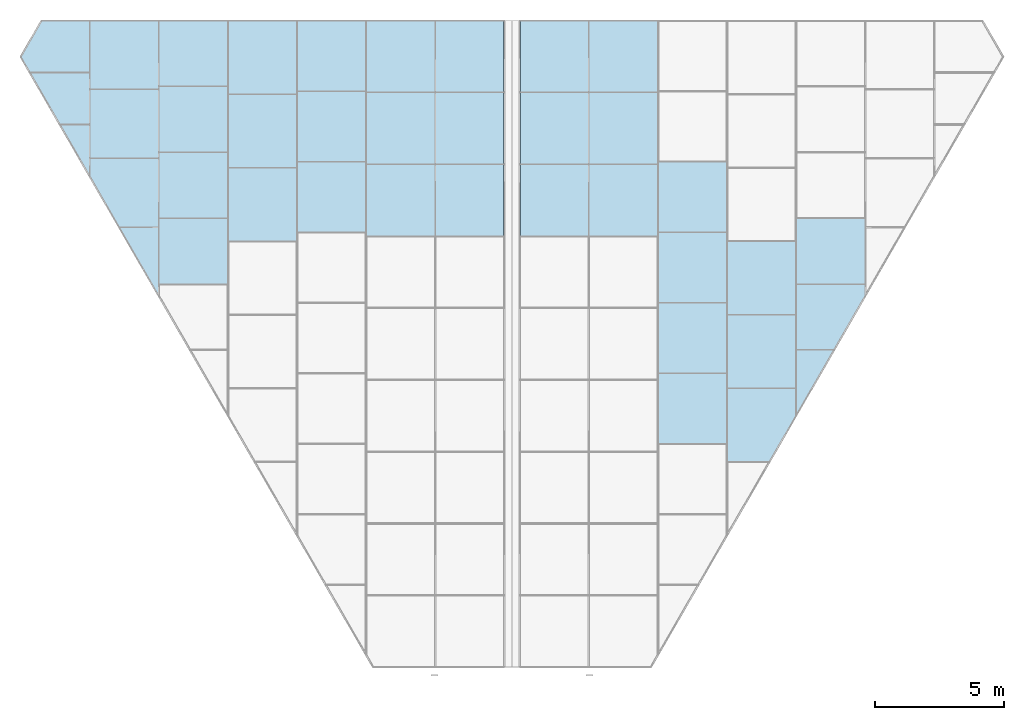
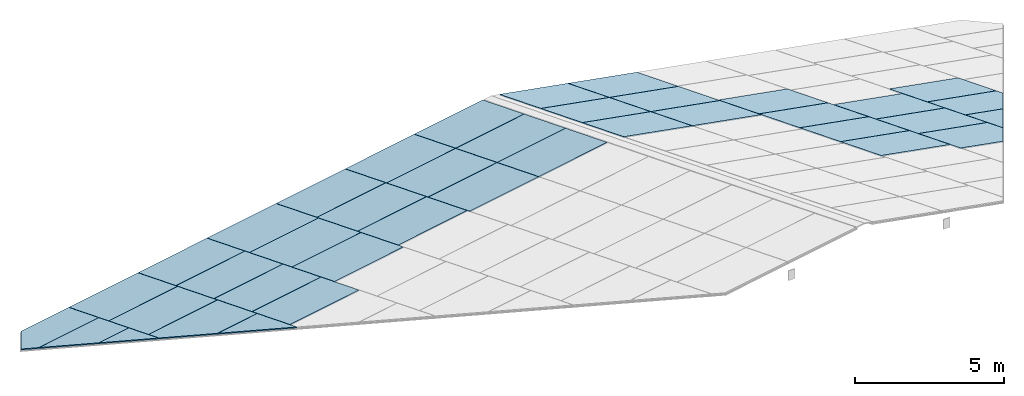
# One storey, part 9 of 12: 39 plates, 39 elements without a shape of their own.
"""IFC4 building model written with IfcOpenShell, lengths in metres."""

from ifc_helpers import new_model, si_unit, direction, frame, origin, place, context, subcontext, project, spatial, polyline, outline, extrude, material, layer, layer_set, type_object, element, aggregate, save


model = new_model("IFC4")

# Units and contexts
model_context = context("Model", 3, precision=1e-05, world=origin(), true_north=direction((0.0, 1.0)))
body_context = subcontext(model_context, "Body", "Model", "MODEL_VIEW")
ifc_project = project(units=[si_unit("LENGTHUNIT", "METRE"), si_unit("AREAUNIT", "SQUARE_METRE"), si_unit("VOLUMEUNIT", "CUBIC_METRE"), si_unit("PLANEANGLEUNIT", "RADIAN"), si_unit("MASSUNIT", "GRAM", prefix="KILO")], contexts=[model_context])

# Site, building, storey
site_placement = place(None, origin())
site = spatial("IfcSite", under=ifc_project, at=site_placement, CompositionType="ELEMENT")
building_placement = place(site_placement, origin())
building = spatial("IfcBuilding", under=site, at=building_placement, Name="Aloe Facet Convention Tower", CompositionType="ELEMENT")
storey_placement = place(building_placement, frame((0.0, 0.0, 306.5)))
storey = spatial("IfcBuildingStorey", under=building, at=storey_placement, Name="C6", CompositionType="ELEMENT", Elevation=306.5)

# Curtain wall, plate
ifc_material_1 = material(Name="Aluminium, anodised", Category="aluminium")
curtain_wall_type = type_object("IfcCurtainWallType", Name="EV-CW-LANTERN", PredefinedType="USERDEFINED", material=ifc_material_1)
curtain_wall_1_placement = place(storey_placement, origin())
curtain_wall_1 = element("IfcCurtainWall", 1, at=curtain_wall_1_placement, inside=storey, type_object=curtain_wall_type, Name="CW-RW07", ObjectType="ROOF LANTERN GLAZING", PredefinedType="USERDEFINED")
ifc_material_2 = material(Name="Clear double glazing", Category="glass")
ifc_layer = layer(ifc_material_2, 0.0400390625)
ifc_layer_set = layer_set([ifc_layer], Name="EV-PANEL-LANTERN")
plate_type = type_object("IfcPlateType", Name="EV-PANEL-LANTERN", PredefinedType="CURTAIN_PANEL", material=ifc_layer_set)
plate_1_placement = place(storey_placement, frame((77.03125, 128.93603515625, -7.081298828125), z_axis=(-0.164936236056, 0.364661514026, 0.916415854415), x_axis=(0.984186809855, 0.0, 0.177133631213)))
plate_1 = element("IfcPlate", 2, at=plate_1_placement, type_object=plate_type, Name="Roof glazing W07", PredefinedType="CURTAIN_PANEL", context=body_context, shape_type="SweptSolid", body=[
    extrude(outline(polyline([(0.0, 0.0), (2.6862774441303654, 0.0), (2.881660682856284, -2.9769660928675075), (0.19538323872591867, -2.9769660928675075), (0.0, 0.0)])), origin(), (0.0, 0.0, -1.0), 0.0400390625),
])
aggregate(curtain_wall_1, [plate_1])

curtain_wall_2_placement = place(storey_placement, origin())
curtain_wall_2 = element("IfcCurtainWall", 3, at=curtain_wall_2_placement, inside=storey, type_object=curtain_wall_type, Name="CW-RW08", ObjectType="ROOF LANTERN GLAZING", PredefinedType="USERDEFINED")
plate_2_placement = place(storey_placement, frame((77.03125, 131.716064453125, -8.1875), z_axis=(-0.164936236056, 0.364661514026, 0.916415854415), x_axis=(0.984186809855, 0.0, 0.177133631213)))
plate_2 = element("IfcPlate", 4, at=plate_2_placement, type_object=plate_type, Name="Roof glazing W08", PredefinedType="CURTAIN_PANEL", context=body_context, shape_type="SweptSolid", body=[
    extrude(outline(polyline([(0.0, 0.0), (2.6862774441303654, 0.0), (2.881660682856284, -2.9769660928675075), (0.19538323872591867, -2.9769660928675075), (0.0, 0.0)])), origin(), (0.0, 0.0, -1.0), 0.0400390625),
])
aggregate(curtain_wall_2, [plate_2])

curtain_wall_3_placement = place(storey_placement, origin())
curtain_wall_3 = element("IfcCurtainWall", 5, at=curtain_wall_3_placement, inside=storey, type_object=curtain_wall_type, Name="CW-RW09", ObjectType="ROOF LANTERN GLAZING", PredefinedType="USERDEFINED")
plate_3_placement = place(storey_placement, frame((77.03125, 134.49609375, -9.293701171875), z_axis=(-0.164936236056, 0.364661514026, 0.916415854415), x_axis=(0.984186809855, 0.0, 0.177133631213)))
plate_3 = element("IfcPlate", 6, at=plate_3_placement, type_object=plate_type, Name="Roof glazing W09", PredefinedType="CURTAIN_PANEL", context=body_context, shape_type="SweptSolid", body=[
    extrude(outline(polyline([(0.0, 0.0), (2.6862774441303654, 0.0), (2.881660682856284, -2.9769660928675075), (0.19538323872591867, -2.9769660928675075), (0.0, 0.0)])), origin(), (0.0, 0.0, -1.0), 0.0400390625),
])
aggregate(curtain_wall_3, [plate_3])

curtain_wall_4_placement = place(storey_placement, origin())
curtain_wall_4 = element("IfcCurtainWall", 7, at=curtain_wall_4_placement, inside=storey, type_object=curtain_wall_type, Name="CW-RW16", ObjectType="ROOF LANTERN GLAZING", PredefinedType="USERDEFINED")
plate_4_placement = place(storey_placement, frame((77.023193359375, 126.1640625, -5.979736328125), z_axis=(-0.164911872129, 0.364663020281, 0.916419639723), x_axis=(-0.984191498599, 0.0, -0.177107577721)))
plate_4 = element("IfcPlate", 8, at=plate_4_placement, type_object=plate_type, Name="Roof glazing W16", PredefinedType="CURTAIN_PANEL", context=body_context, shape_type="SweptSolid", body=[
    extrude(outline(polyline([(0.0, 0.0), (2.707349926354833, 2.7755575615628914e-17), (2.902704427366493, -2.9769679788322128), (0.1953545010116597, -2.9769679788322128), (0.0, 0.0)])), origin(), (0.0, 0.0, -1.0), 0.0400390625),
])
aggregate(curtain_wall_4, [plate_4])

curtain_wall_5_placement = place(storey_placement, origin())
curtain_wall_5 = element("IfcCurtainWall", 9, at=curtain_wall_5_placement, inside=storey, type_object=curtain_wall_type, Name="CW-RW17", ObjectType="ROOF LANTERN GLAZING", PredefinedType="USERDEFINED")
plate_5_placement = place(storey_placement, frame((77.023193359375, 128.944091796875, -7.0859375), z_axis=(-0.164950286005, 0.364695484352, 0.916399807311), x_axis=(-0.984184683845, -1.5068882e-05, -0.17714544267)))
plate_5 = element("IfcPlate", 10, at=plate_5_placement, type_object=plate_type, Name="Roof glazing W17", PredefinedType="CURTAIN_PANEL", context=body_context, shape_type="SweptSolid", body=[
    extrude(outline(polyline([(0.0, 0.0), (2.7073499240437493, 2.7755575615628914e-17), (2.902747668999092, -2.977055606465092), (0.19535449655625303, -2.976967977022811), (0.0, 0.0)])), origin(), (0.0, 0.0, -1.0), 0.0400390625),
])
aggregate(curtain_wall_5, [plate_5])

curtain_wall_6_placement = place(storey_placement, origin())
curtain_wall_6 = element("IfcCurtainWall", 11, at=curtain_wall_6_placement, inside=storey, type_object=curtain_wall_type, Name="CW-RW18", ObjectType="ROOF LANTERN GLAZING", PredefinedType="USERDEFINED")
plate_6_placement = place(storey_placement, frame((77.023193359375, 131.72412109375, -8.192138671875), z_axis=(-0.164993554211, 0.364657969534, 0.916406946899), x_axis=(-0.984175776426, 0.0, -0.177194924013)))
plate_6 = element("IfcPlate", 12, at=plate_6_placement, type_object=plate_type, Name="Roof glazing W18", PredefinedType="CURTAIN_PANEL", context=body_context, shape_type="SweptSolid", body=[
    extrude(outline(polyline([(0.0, 0.0), (2.7073931761720242, 0.0), (2.9028440225320193, -2.9769616548949744), (0.19545084635999496, -2.976961654894974), (0.0, 0.0)])), origin(), (0.0, 0.0, -1.0), 0.0400390625),
])
aggregate(curtain_wall_6, [plate_6])

curtain_wall_7_placement = place(storey_placement, origin())
curtain_wall_7 = element("IfcCurtainWall", 13, at=curtain_wall_7_placement, inside=storey, type_object=curtain_wall_type, Name="CW-RW25", ObjectType="ROOF LANTERN GLAZING", PredefinedType="USERDEFINED")
plate_7_placement = place(storey_placement, frame((74.3505859375, 126.3203125, -6.522705078125), z_axis=(-0.164949471398, 0.36470722453, 0.916395281667), x_axis=(-0.984182592684, 1.5069052e-05, -0.177157060345)))
plate_7 = element("IfcPlate", 14, at=plate_7_placement, type_object=plate_type, Name="Roof glazing W25", PredefinedType="CURTAIN_PANEL", context=body_context, shape_type="SweptSolid", body=[
    extrude(outline(polyline([(0.0, 0.0), (2.7073931738610004, -2.7755575615628914e-17), (2.8991668842496368, -2.9208655271016224), (0.1918169616240718, -2.9209531579649464), (0.0, 0.0)])), origin(), (0.0, 0.0, -1.0), 0.0400390625),
])
aggregate(curtain_wall_7, [plate_7])

curtain_wall_8_placement = place(storey_placement, origin())
curtain_wall_8 = element("IfcCurtainWall", 15, at=curtain_wall_8_placement, inside=storey, type_object=curtain_wall_type, Name="CW-RW26", ObjectType="ROOF LANTERN GLAZING", PredefinedType="USERDEFINED")
plate_8_placement = place(storey_placement, frame((74.3505859375, 129.048095703125, -7.6083984375), z_axis=(-0.164951440661, 0.364678842636, 0.916406222129), x_axis=(-0.984184683749, -1.50683e-05, -0.1771454432)))
plate_8 = element("IfcPlate", 16, at=plate_8_placement, type_object=plate_type, Name="Roof glazing W26", PredefinedType="CURTAIN_PANEL", context=body_context, shape_type="SweptSolid", body=[
    extrude(outline(polyline([(0.0, 0.0), (2.707349924043717, -2.7755575615628914e-17), (2.8990723408450396, -2.9211866875942536), (0.19167916840210347, -2.9210990621506627), (0.0, 0.0)])), origin(), (0.0, 0.0, -1.0), 0.0400390625),
])
aggregate(curtain_wall_8, [plate_8])

curtain_wall_9_placement = place(storey_placement, origin())
curtain_wall_9 = element("IfcCurtainWall", 17, at=curtain_wall_9_placement, inside=storey, type_object=curtain_wall_type, Name="CW-RW27", ObjectType="ROOF LANTERN GLAZING", PredefinedType="USERDEFINED")
plate_9_placement = place(storey_placement, frame((74.3505859375, 131.776123046875, -8.69384765625), z_axis=(-0.164951440661, 0.364678842636, 0.916406222129), x_axis=(-0.984182592847, 1.5068059e-05, -0.177157059441)))
plate_9 = element("IfcPlate", 18, at=plate_9_placement, type_object=plate_type, Name="Roof glazing W27", PredefinedType="CURTAIN_PANEL", context=body_context, shape_type="SweptSolid", body=[
    extrude(outline(polyline([(0.0, 0.0), (2.707393173860946, -2.7755575615628914e-17), (2.899166884249696, -2.921092856877463), (0.1918169616239653, -2.9211804809212625), (0.0, 0.0)])), origin(), (0.0, 0.0, -1.0), 0.0400390625),
])
aggregate(curtain_wall_9, [plate_9])

curtain_wall_10_placement = place(storey_placement, origin())
curtain_wall_10 = element("IfcCurtainWall", 19, at=curtain_wall_10_placement, inside=storey, type_object=curtain_wall_type, Name="CW-RW32", ObjectType="ROOF LANTERN GLAZING", PredefinedType="USERDEFINED")
plate_10_placement = place(storey_placement, frame((71.677978515625, 125.9658203125, -6.86279296875), z_axis=(-0.164978075021, 0.364670039525, 0.916404930713), x_axis=(-0.984178607384, 0.0, -0.177179199589)))
plate_10 = element("IfcPlate", 20, at=plate_10_placement, type_object=plate_type, Name="Roof glazing W32", PredefinedType="CURTAIN_PANEL", context=body_context, shape_type="SweptSolid", body=[
    extrude(outline(polyline([(0.0, 0.0), (2.7076334538067823, 0.0), (2.907738672873482, -3.048031964459847), (0.20010521906669956, -3.048031964459847), (0.0, 0.0)])), origin(), (0.0, 0.0, -1.0), 0.0400390625),
])
aggregate(curtain_wall_10, [plate_10])

curtain_wall_11_placement = place(storey_placement, origin())
curtain_wall_11 = element("IfcCurtainWall", 21, at=curtain_wall_11_placement, inside=storey, type_object=curtain_wall_type, Name="CW-RW33", ObjectType="ROOF LANTERN GLAZING", PredefinedType="USERDEFINED")
plate_11_placement = place(storey_placement, frame((71.677978515625, 128.81201171875, -7.995361328125), z_axis=(-0.164976187542, 0.364697239219, 0.916394446322), x_axis=(-0.984178607384, 0.0, -0.177179199589)))
plate_11 = element("IfcPlate", 22, at=plate_11_placement, type_object=plate_type, Name="Roof glazing W33", PredefinedType="CURTAIN_PANEL", context=body_context, shape_type="SweptSolid", body=[
    extrude(outline(polyline([(0.0, 0.0), (2.7076334538067823, 0.0), (2.907738672873482, -3.047804637437013), (0.20010521906669956, -3.047804637437013), (0.0, 0.0)])), origin(), (0.0, 0.0, -1.0), 0.0400390625),
])
aggregate(curtain_wall_11, [plate_11])

curtain_wall_12_placement = place(storey_placement, origin())
curtain_wall_12 = element("IfcCurtainWall", 23, at=curtain_wall_12_placement, inside=storey, type_object=curtain_wall_type, Name="CW-RW34", ObjectType="ROOF LANTERN GLAZING", PredefinedType="USERDEFINED")
plate_12_placement = place(storey_placement, frame((71.677978515625, 131.657958984375, -9.1279296875), z_axis=(-0.164978075021, 0.364670039525, 0.916404930713), x_axis=(-0.984178607384, 0.0, -0.177179199589)))
plate_12 = element("IfcPlate", 24, at=plate_12_placement, type_object=plate_type, Name="Roof glazing W34", PredefinedType="CURTAIN_PANEL", context=body_context, shape_type="SweptSolid", body=[
    extrude(outline(polyline([(0.0, 0.0), (2.7076334538067823, 0.0), (2.907738672873482, -3.048031964459847), (0.20010521906669956, -3.048031964459847), (0.0, 0.0)])), origin(), (0.0, 0.0, -1.0), 0.0400390625),
])
aggregate(curtain_wall_12, [plate_12])

curtain_wall_13_placement = place(storey_placement, origin())
curtain_wall_13 = element("IfcCurtainWall", 25, at=curtain_wall_13_placement, inside=storey, type_object=curtain_wall_type, Name="CW-RW37", ObjectType="ROOF LANTERN GLAZING", PredefinedType="USERDEFINED")
plate_13_placement = place(storey_placement, frame((69.00537109375, 124.30859375, -6.6845703125), z_axis=(-0.164938363482, 0.364656341266, 0.916417529856), x_axis=(-0.984187513023, -1.5066219e-05, -0.177129723599)))
plate_13 = element("IfcPlate", 26, at=plate_13_placement, type_object=plate_type, Name="Roof glazing W37", PredefinedType="CURTAIN_PANEL", context=body_context, shape_type="SweptSolid", body=[
    extrude(outline(polyline([(0.0, 0.0), (2.707590205516709, -2.7755575615628914e-17), (2.88667089544311, -2.728970055058073), (0.17903744536497515, -2.728882434769348), (0.0, 0.0)])), origin(), (0.0, 0.0, -1.0), 0.0400390625),
])
aggregate(curtain_wall_13, [plate_13])

curtain_wall_14_placement = place(storey_placement, origin())
curtain_wall_14 = element("IfcCurtainWall", 27, at=curtain_wall_14_placement, inside=storey, type_object=curtain_wall_type, Name="CW-RW38", ObjectType="ROOF LANTERN GLAZING", PredefinedType="USERDEFINED")
plate_14_placement = place(storey_placement, frame((69.00537109375, 126.857421875, -7.69873046875), z_axis=(-0.164938363482, 0.364656341266, 0.916417529856), x_axis=(-0.984185422744, 1.5065979e-05, -0.177141337443)))
plate_14 = element("IfcPlate", 28, at=plate_14_placement, type_object=plate_type, Name="Roof glazing W38", PredefinedType="CURTAIN_PANEL", context=body_context, shape_type="SweptSolid", body=[
    extrude(outline(polyline([(0.0, 0.0), (2.7076334514958513, 0.0), (2.8867592046828747, -2.7288766396047817), (0.1791690005838597, -2.728964258494046), (0.0, 0.0)])), origin(), (0.0, 0.0, -1.0), 0.0400390625),
])
aggregate(curtain_wall_14, [plate_14])

curtain_wall_15_placement = place(storey_placement, origin())
curtain_wall_15 = element("IfcCurtainWall", 29, at=curtain_wall_15_placement, inside=storey, type_object=curtain_wall_type, Name="CW-RW39", ObjectType="ROOF LANTERN GLAZING", PredefinedType="USERDEFINED")
plate_15_placement = place(storey_placement, frame((69.00537109375, 129.40625, -8.713134765625), z_axis=(-0.164938363482, 0.364656341266, 0.916417529856), x_axis=(-0.984187513023, -1.5066219e-05, -0.177129723599)))
plate_15 = element("IfcPlate", 30, at=plate_15_placement, type_object=plate_type, Name="Roof glazing W39", PredefinedType="CURTAIN_PANEL", context=body_context, shape_type="SweptSolid", body=[
    extrude(outline(polyline([(0.0, 0.0), (2.707590205516709, -2.7755575615628914e-17), (2.88667089544311, -2.728970055058073), (0.17903744536497515, -2.728882434769348), (0.0, 0.0)])), origin(), (0.0, 0.0, -1.0), 0.0400390625),
])
aggregate(curtain_wall_15, [plate_15])

curtain_wall_16_placement = place(storey_placement, origin())
curtain_wall_16 = element("IfcCurtainWall", 31, at=curtain_wall_16_placement, inside=storey, type_object=curtain_wall_type, Name="CW-RW40", ObjectType="ROOF LANTERN GLAZING", PredefinedType="USERDEFINED")
plate_16_placement = place(storey_placement, frame((69.00537109375, 131.955078125, -9.727294921875), z_axis=(-0.164938363482, 0.364656341266, 0.916417529856), x_axis=(-0.984185422744, 1.5065979e-05, -0.177141337443)))
plate_16 = element("IfcPlate", 32, at=plate_16_placement, type_object=plate_type, Name="Roof glazing W40", PredefinedType="CURTAIN_PANEL", context=body_context, shape_type="SweptSolid", body=[
    extrude(outline(polyline([(0.0, 0.0), (2.7076334514958513, 0.0), (2.8867592046828747, -2.7288766396047817), (0.1791690005838597, -2.728964258494046), (0.0, 0.0)])), origin(), (0.0, 0.0, -1.0), 0.0400390625),
])
aggregate(curtain_wall_16, [plate_16])

curtain_wall_17_placement = place(storey_placement, origin())
curtain_wall_17 = element("IfcCurtainWall", 33, at=curtain_wall_17_placement, inside=storey, type_object=curtain_wall_type, Name="CW-RW41", ObjectType="ROOF LANTERN GLAZING", PredefinedType="USERDEFINED")
plate_17_placement = place(storey_placement, frame((66.33251953125, 126.498291015625, -8.036865234375), z_axis=(-0.164984172336, 0.364639269171, 0.91641607704), x_axis=(0.0, -0.929148934671, 0.369705635876)))
plate_17 = element("IfcPlate", 34, at=plate_17_placement, type_object=plate_type, Name="Roof glazing W41", PredefinedType="CURTAIN_PANEL", context=body_context, shape_type="SweptSolid", body=[
    extrude(outline(polyline([(0.0, 0.0), (2.8488141755076772, 0.0), (-0.10172320596503776, -1.5495550828648248), (0.0, 0.0)])), origin(), (0.0, 0.0, -1.0), 0.0400390625),
])
aggregate(curtain_wall_17, [plate_17])

curtain_wall_18_placement = place(storey_placement, origin())
curtain_wall_18 = element("IfcCurtainWall", 35, at=curtain_wall_18_placement, inside=storey, type_object=curtain_wall_type, Name="CW-RW42", ObjectType="ROOF LANTERN GLAZING", PredefinedType="USERDEFINED")
plate_18_placement = place(storey_placement, frame((66.33251953125, 126.506103515625, -8.0400390625), z_axis=(-0.164921642184, 0.364710067291, 0.916399159076), x_axis=(-0.984188372733, 8.746573e-06, -0.177124947143)))
plate_18 = element("IfcPlate", 36, at=plate_18_placement, type_object=plate_type, Name="Roof glazing W42", PredefinedType="CURTAIN_PANEL", context=body_context, shape_type="SweptSolid", body=[
    extrude(outline(polyline([(0.0, 0.0), (1.557345164621626, 0.0), (2.845572964416223, -2.105449106286419), (2.8947468056908305, -2.854553133402525), (0.18739687986118356, -2.854592608424638), (0.0, 0.0)])), origin(), (0.0, 0.0, -1.0), 0.0400390625),
])
aggregate(curtain_wall_18, [plate_18])

curtain_wall_19_placement = place(storey_placement, origin())
curtain_wall_19 = element("IfcCurtainWall", 37, at=curtain_wall_19_placement, inside=storey, type_object=curtain_wall_type, Name="CW-RW43", ObjectType="ROOF LANTERN GLAZING", PredefinedType="USERDEFINED")
plate_19_placement = place(storey_placement, frame((66.33251953125, 129.172119140625, -9.10107421875), z_axis=(-0.164951046163, 0.364684528515, 0.916404030454), x_axis=(-0.984184683782, -1.5068499e-05, -0.177145443019)))
plate_19 = element("IfcPlate", 38, at=plate_19_placement, type_object=plate_type, Name="Roof glazing W43", PredefinedType="CURTAIN_PANEL", context=body_context, shape_type="SweptSolid", body=[
    extrude(outline(polyline([(0.0, 0.0), (2.707349924043728, 5.551115123125783e-17), (2.894705186214877, -2.854595338289652), (0.18731201377197415, -2.854507711479852), (0.0, 0.0)])), origin(), (0.0, 0.0, -1.0), 0.0400390625),
])
aggregate(curtain_wall_19, [plate_19])

curtain_wall_20_placement = place(storey_placement, origin())
curtain_wall_20 = element("IfcCurtainWall", 39, at=curtain_wall_20_placement, inside=storey, type_object=curtain_wall_type, Name="CW-RW44", ObjectType="ROOF LANTERN GLAZING", PredefinedType="USERDEFINED")
plate_20_placement = place(storey_placement, frame((66.33251953125, 131.838134765625, -10.161865234375), z_axis=(-0.164994418646, 0.364645512351, 0.916411748145), x_axis=(-0.984175776426, 0.0, -0.177194924013)))
plate_20 = element("IfcPlate", 40, at=plate_20_placement, type_object=plate_type, Name="Roof glazing W44", PredefinedType="CURTAIN_PANEL", context=body_context, shape_type="SweptSolid", body=[
    extrude(outline(polyline([(0.0, 0.0), (2.7073931761720242, 0.0), (2.894797573345884, -2.8545016499969122), (0.1874043971738597, -2.8545016499969122), (0.0, 0.0)])), origin(), (0.0, 0.0, -1.0), 0.0400390625),
])
aggregate(curtain_wall_20, [plate_20])

curtain_wall_21_placement = place(storey_placement, origin())
curtain_wall_21 = element("IfcCurtainWall", 41, at=curtain_wall_21_placement, inside=storey, type_object=curtain_wall_type, Name="CW-RW45", ObjectType="ROOF LANTERN GLAZING", PredefinedType="USERDEFINED")
plate_21_placement = place(storey_placement, frame((63.659912109375, 130.472900390625, -10.099609375), z_axis=(-0.165116216262, 0.3646080309, 0.916404724415), x_axis=(0.0, -0.929158241126, 0.369682245918)))
plate_21 = element("IfcPlate", 42, at=plate_21_placement, type_object=plate_type, Name="Roof glazing W45", PredefinedType="CURTAIN_PANEL", context=body_context, shape_type="SweptSolid", body=[
    extrude(outline(polyline([(0.0, 0.0), (2.1443404927558443, 1.3877787807814457e-17), (-0.07662603192979128, -1.1664005010618488), (0.0, 0.0)])), origin(), (0.0, 0.0, -1.0), 0.0400390625),
])
aggregate(curtain_wall_21, [plate_21])

curtain_wall_22_placement = place(storey_placement, origin())
curtain_wall_22 = element("IfcCurtainWall", 43, at=curtain_wall_22_placement, inside=storey, type_object=curtain_wall_type, Name="CW-RW46", ObjectType="ROOF LANTERN GLAZING", PredefinedType="USERDEFINED")
plate_22_placement = place(storey_placement, frame((61.34814453125, 132.484619140625, -11.31640625), z_axis=(-0.164955430205, 0.364644784106, 0.916419056693), x_axis=(0.984181926218, -2.0144633e-05, 0.177160762305)))
plate_22 = element("IfcPlate", 44, at=plate_22_placement, type_object=plate_type, Name="Roof glazing W46", PredefinedType="CURTAIN_PANEL", context=body_context, shape_type="SweptSolid", body=[
    extrude(outline(polyline([(0.0, 0.0), (2.34894476540186, -5.551115123125783e-17), (2.490203363040408, -2.1517682878622626), (1.3166368343153616, -2.1518444946478077), (0.0, 0.0)])), origin(), (0.0, 0.0, -1.0), 0.0400390625),
])
aggregate(curtain_wall_22, [plate_22])

curtain_wall_23_placement = place(storey_placement, origin())
curtain_wall_23 = element("IfcCurtainWall", 45, at=curtain_wall_23_placement, inside=storey, type_object=curtain_wall_type, Name="CW-RW47", ObjectType="ROOF LANTERN GLAZING", PredefinedType="USERDEFINED")
plate_23_placement = place(storey_placement, frame((63.659912109375, 132.492431640625, -10.9033203125), z_axis=(-0.164970000145, 0.364696256734, 0.9163959512), x_axis=(-0.984179898417, -1.175619e-06, -0.177172028126)))
plate_23 = element("IfcPlate", 46, at=plate_23_placement, type_object=plate_type, Name="Roof glazing W47", PredefinedType="CURTAIN_PANEL", context=body_context, shape_type="SweptSolid", body=[
    extrude(outline(polyline([(0.0, 0.0), (2.3536398193898607, -2.7755575615628914e-17), (2.74934495755244, -0.6468339701744356), (2.026075292530309, -2.151878438936072), (0.14126811414904267, -2.1518581203217115), (0.0, 0.0)])), origin(), (0.0, 0.0, -1.0), 0.0400390625),
])
aggregate(curtain_wall_23, [plate_23])

curtain_wall_24_placement = place(storey_placement, origin())
curtain_wall_24 = element("IfcCurtainWall", 47, at=curtain_wall_24_placement, inside=storey, type_object=curtain_wall_type, Name="CW-RE07", ObjectType="ROOF LANTERN GLAZING", PredefinedType="USERDEFINED")
plate_24_placement = place(storey_placement, frame((80.324951171875, 128.93603515625, -6.60546875), z_axis=(0.164936236056, 0.364661514026, 0.916415854415), x_axis=(0.984186809855, 0.0, -0.177133631213)))
plate_24 = element("IfcPlate", 48, at=plate_24_placement, type_object=plate_type, Name="Roof glazing E07", PredefinedType="CURTAIN_PANEL", context=body_context, shape_type="SweptSolid", body=[
    extrude(outline(polyline([(0.0, 0.0), (2.6862774441303654, 0.0), (2.4908942054044467, -2.9769660928675075), (-0.19538323872591867, -2.9769660928675075), (0.0, 0.0)])), origin(), (0.0, 0.0, -1.0), 0.0400390625),
])
aggregate(curtain_wall_24, [plate_24])

curtain_wall_25_placement = place(storey_placement, origin())
curtain_wall_25 = element("IfcCurtainWall", 49, at=curtain_wall_25_placement, inside=storey, type_object=curtain_wall_type, Name="CW-RE08", ObjectType="ROOF LANTERN GLAZING", PredefinedType="USERDEFINED")
plate_25_placement = place(storey_placement, frame((80.324951171875, 131.716064453125, -7.711669921875), z_axis=(0.164936236056, 0.364661514026, 0.916415854415), x_axis=(0.984186809855, 0.0, -0.177133631213)))
plate_25 = element("IfcPlate", 50, at=plate_25_placement, type_object=plate_type, Name="Roof glazing E08", PredefinedType="CURTAIN_PANEL", context=body_context, shape_type="SweptSolid", body=[
    extrude(outline(polyline([(0.0, 0.0), (2.6862774441303654, 0.0), (2.4908942054044467, -2.9769660928675075), (-0.19538323872591867, -2.9769660928675075), (0.0, 0.0)])), origin(), (0.0, 0.0, -1.0), 0.0400390625),
])
aggregate(curtain_wall_25, [plate_25])

curtain_wall_26_placement = place(storey_placement, origin())
curtain_wall_26 = element("IfcCurtainWall", 51, at=curtain_wall_26_placement, inside=storey, type_object=curtain_wall_type, Name="CW-RE09", ObjectType="ROOF LANTERN GLAZING", PredefinedType="USERDEFINED")
plate_26_placement = place(storey_placement, frame((80.324951171875, 131.72412109375, -7.71484375), z_axis=(0.164936236056, 0.364661514026, 0.916415854415), x_axis=(0.0, 0.929141156141, -0.36972518438)))
plate_26 = element("IfcPlate", 52, at=plate_26_placement, type_object=plate_type, Name="Roof glazing E09", PredefinedType="CURTAIN_PANEL", context=body_context, shape_type="SweptSolid", body=[
    extrude(outline(polyline([(0.0, 0.0), (2.983370866663724, 0.0), (3.1592972300318536, -2.6805104777850866), (0.17592636336812947, -2.680510477785086), (0.0, 0.0)])), origin(), (0.0, 0.0, -1.0), 0.0400390625),
])
aggregate(curtain_wall_26, [plate_26])

curtain_wall_27_placement = place(storey_placement, origin())
curtain_wall_27 = element("IfcCurtainWall", 53, at=curtain_wall_27_placement, inside=storey, type_object=curtain_wall_type, Name="CW-RE16", ObjectType="ROOF LANTERN GLAZING", PredefinedType="USERDEFINED")
plate_27_placement = place(storey_placement, frame((82.976806640625, 128.93603515625, -7.082763671875), z_axis=(0.164911872129, 0.364663020281, 0.916419639723), x_axis=(0.984191498599, 0.0, -0.177107577721)))
plate_27 = element("IfcPlate", 54, at=plate_27_placement, type_object=plate_type, Name="Roof glazing E16", PredefinedType="CURTAIN_PANEL", context=body_context, shape_type="SweptSolid", body=[
    extrude(outline(polyline([(0.0, 0.0), (2.707349926354833, -2.7755575615628914e-17), (2.5119954253431738, -2.9769679788322128), (-0.1953545010116597, -2.9769679788322128), (0.0, 0.0)])), origin(), (0.0, 0.0, -1.0), 0.0400390625),
])
aggregate(curtain_wall_27, [plate_27])

curtain_wall_28_placement = place(storey_placement, origin())
curtain_wall_28 = element("IfcCurtainWall", 55, at=curtain_wall_28_placement, inside=storey, type_object=curtain_wall_type, Name="CW-RE17", ObjectType="ROOF LANTERN GLAZING", PredefinedType="USERDEFINED")
plate_28_placement = place(storey_placement, frame((82.976806640625, 131.716064453125, -8.18896484375), z_axis=(0.164950286005, 0.364695484352, 0.916399807311), x_axis=(0.984182592752, 1.5068642e-05, -0.177157059971)))
plate_28 = element("IfcPlate", 56, at=plate_28_placement, type_object=plate_type, Name="Roof glazing E17", PredefinedType="CURTAIN_PANEL", context=body_context, shape_type="SweptSolid", body=[
    extrude(outline(polyline([(0.0, 0.0), (2.7073931738609778, 2.7755575615628914e-17), (2.5118990714767064, -2.977049280521208), (-0.19545085114892685, -2.976961652478782), (0.0, 0.0)])), origin(), (0.0, 0.0, -1.0), 0.0400390625),
])
aggregate(curtain_wall_28, [plate_28])

curtain_wall_29_placement = place(storey_placement, origin())
curtain_wall_29 = element("IfcCurtainWall", 57, at=curtain_wall_29_placement, inside=storey, type_object=curtain_wall_type, Name="CW-RE18", ObjectType="ROOF LANTERN GLAZING", PredefinedType="USERDEFINED")
plate_29_placement = place(storey_placement, frame((82.976806640625, 134.49609375, -9.295166015625), z_axis=(0.164993554211, 0.364657969534, 0.916406946899), x_axis=(0.984175776426, 0.0, -0.177194924013)))
plate_29 = element("IfcPlate", 58, at=plate_29_placement, type_object=plate_type, Name="Roof glazing E18", PredefinedType="CURTAIN_PANEL", context=body_context, shape_type="SweptSolid", body=[
    extrude(outline(polyline([(0.0, 0.0), (2.7073931761720242, 0.0), (2.511942329812029, -2.976961654894974), (-0.19545084635999496, -2.976961654894974), (0.0, 0.0)])), origin(), (0.0, 0.0, -1.0), 0.0400390625),
])
aggregate(curtain_wall_29, [plate_29])

curtain_wall_30_placement = place(storey_placement, origin())
curtain_wall_30 = element("IfcCurtainWall", 59, at=curtain_wall_30_placement, inside=storey, type_object=curtain_wall_type, Name="CW-RE22", ObjectType="ROOF LANTERN GLAZING", PredefinedType="USERDEFINED")
plate_30_placement = place(storey_placement, frame((85.6494140625, 120.8564453125, -4.348388671875), z_axis=(0.164994755479, 0.364640658195, 0.916413618982), x_axis=(0.984175776426, 0.0, -0.177194924013)))
plate_30 = element("IfcPlate", 60, at=plate_30_placement, type_object=plate_type, Name="Roof glazing E22", PredefinedType="CURTAIN_PANEL", context=body_context, shape_type="SweptSolid", body=[
    extrude(outline(polyline([(0.0, 0.0), (2.7073931761720242, 2.7755575615628914e-17), (2.515619470569134, -2.921092859333667), (-0.19177370560289014, -2.921092859333667), (0.0, 0.0)])), origin(), (0.0, 0.0, -1.0), 0.0400390625),
])
aggregate(curtain_wall_30, [plate_30])

curtain_wall_31_placement = place(storey_placement, origin())
curtain_wall_31 = element("IfcCurtainWall", 61, at=curtain_wall_31_placement, inside=storey, type_object=curtain_wall_type, Name="CW-RE23", ObjectType="ROOF LANTERN GLAZING", PredefinedType="USERDEFINED")
plate_31_placement = place(storey_placement, frame((85.6494140625, 123.584228515625, -5.43408203125), z_axis=(0.164951440661, 0.364678842636, 0.916406222129), x_axis=(0.984184683749, -1.50683e-05, -0.1771454432)))
plate_31 = element("IfcPlate", 62, at=plate_31_placement, type_object=plate_type, Name="Roof glazing E23", PredefinedType="CURTAIN_PANEL", context=body_context, shape_type="SweptSolid", body=[
    extrude(outline(polyline([(0.0, 0.0), (2.707349924043717, 2.7755575615628914e-17), (2.5156707556416134, -2.9210990621506627), (-0.19172241680132227, -2.9211866875942536), (0.0, 0.0)])), origin(), (0.0, 0.0, -1.0), 0.0400390625),
])
aggregate(curtain_wall_31, [plate_31])

curtain_wall_32_placement = place(storey_placement, origin())
curtain_wall_32 = element("IfcCurtainWall", 63, at=curtain_wall_32_placement, inside=storey, type_object=curtain_wall_type, Name="CW-RE24", ObjectType="ROOF LANTERN GLAZING", PredefinedType="USERDEFINED")
plate_32_placement = place(storey_placement, frame((85.6494140625, 126.312255859375, -6.51953125), z_axis=(0.164994755479, 0.364640658195, 0.916413618982), x_axis=(0.984175776426, 0.0, -0.177194924013)))
plate_32 = element("IfcPlate", 64, at=plate_32_placement, type_object=plate_type, Name="Roof glazing E24", PredefinedType="CURTAIN_PANEL", context=body_context, shape_type="SweptSolid", body=[
    extrude(outline(polyline([(0.0, 0.0), (2.7073931761720242, 2.7755575615628914e-17), (2.515619470569134, -2.921092859333667), (-0.19177370560289014, -2.921092859333667), (0.0, 0.0)])), origin(), (0.0, 0.0, -1.0), 0.0400390625),
])
aggregate(curtain_wall_32, [plate_32])

curtain_wall_33_placement = place(storey_placement, origin())
curtain_wall_33 = element("IfcCurtainWall", 65, at=curtain_wall_33_placement, inside=storey, type_object=curtain_wall_type, Name="CW-RE25", ObjectType="ROOF LANTERN GLAZING", PredefinedType="USERDEFINED")
plate_33_placement = place(storey_placement, frame((85.6494140625, 129.0400390625, -7.605224609375), z_axis=(0.164949471398, 0.36470722453, 0.916395281667), x_axis=(0.984184683912, -1.5069293e-05, -0.177145442296)))
plate_33 = element("IfcPlate", 66, at=plate_33_placement, type_object=plate_type, Name="Roof glazing E25", PredefinedType="CURTAIN_PANEL", context=body_context, shape_type="SweptSolid", body=[
    extrude(outline(polyline([(0.0, 0.0), (2.7073499240437724, -2.7755575615628914e-17), (2.5156707556415623, -2.9208717328577607), (-0.19172241680120805, -2.920959365120985), (0.0, 0.0)])), origin(), (0.0, 0.0, -1.0), 0.0400390625),
])
aggregate(curtain_wall_33, [plate_33])

curtain_wall_34_placement = place(storey_placement, origin())
curtain_wall_34 = element("IfcCurtainWall", 67, at=curtain_wall_34_placement, inside=storey, type_object=curtain_wall_type, Name="CW-RE29", ObjectType="ROOF LANTERN GLAZING", PredefinedType="USERDEFINED")
plate_34_placement = place(storey_placement, frame((88.322021484375, 117.427734375, -3.465087890625), z_axis=(0.164987477102, 0.364668921655, 0.91640368287), x_axis=(9.5244e-08, 0.929136883182, -0.369735922397)))
plate_34 = element("IfcPlate", 68, at=plate_34_placement, type_object=plate_type, Name="Roof glazing E29", PredefinedType="CURTAIN_PANEL", context=body_context, shape_type="SweptSolid", body=[
    extrude(outline(polyline([(0.0, 0.0), (3.0545934189452404, 0.0), (3.231969426537981, -2.7018172905372446), (2.0934501772605896, -2.701826813582399), (0.10895309984011738, -1.659702290549927), (0.0, 0.0)])), origin(), (0.0, 0.0, -1.0), 0.0400390625),
])
aggregate(curtain_wall_34, [plate_34])

curtain_wall_35_placement = place(storey_placement, origin())
curtain_wall_35 = element("IfcCurtainWall", 69, at=curtain_wall_35_placement, inside=storey, type_object=curtain_wall_type, Name="CW-RE30", ObjectType="ROOF LANTERN GLAZING", PredefinedType="USERDEFINED")
plate_35_placement = place(storey_placement, frame((88.322021484375, 123.11181640625, -5.72705078125), z_axis=(0.164976187542, 0.364697239219, 0.916394446322), x_axis=(0.984178607384, 0.0, -0.177179199589)))
plate_35 = element("IfcPlate", 70, at=plate_35_placement, type_object=plate_type, Name="Roof glazing E30", PredefinedType="CURTAIN_PANEL", context=body_context, shape_type="SweptSolid", body=[
    extrude(outline(polyline([(0.0, 0.0), (2.7076334538067823, 0.0), (2.507528234740083, -3.047804637437013), (-0.20010521906669956, -3.047804637437013), (0.0, 0.0)])), origin(), (0.0, 0.0, -1.0), 0.0400390625),
])
aggregate(curtain_wall_35, [plate_35])

curtain_wall_36_placement = place(storey_placement, origin())
curtain_wall_36 = element("IfcCurtainWall", 71, at=curtain_wall_36_placement, inside=storey, type_object=curtain_wall_type, Name="CW-RE31", ObjectType="ROOF LANTERN GLAZING", PredefinedType="USERDEFINED")
plate_36_placement = place(storey_placement, frame((88.322021484375, 125.9580078125, -6.859619140625), z_axis=(0.164978075021, 0.364670039525, 0.916404930713), x_axis=(0.984178607384, 0.0, -0.177179199589)))
plate_36 = element("IfcPlate", 72, at=plate_36_placement, type_object=plate_type, Name="Roof glazing E31", PredefinedType="CURTAIN_PANEL", context=body_context, shape_type="SweptSolid", body=[
    extrude(outline(polyline([(0.0, 0.0), (2.7076334538067823, 0.0), (2.507528234740083, -3.048031964459847), (-0.20010521906669956, -3.048031964459847), (0.0, 0.0)])), origin(), (0.0, 0.0, -1.0), 0.0400390625),
])
aggregate(curtain_wall_36, [plate_36])

curtain_wall_37_placement = place(storey_placement, origin())
curtain_wall_37 = element("IfcCurtainWall", 73, at=curtain_wall_37_placement, inside=storey, type_object=curtain_wall_type, Name="CW-RE35", ObjectType="ROOF LANTERN GLAZING", PredefinedType="USERDEFINED")
plate_37_placement = place(storey_placement, frame((92.455322265625, 121.751953125, -5.929931640625), z_axis=(0.164961477837, 0.36468592043, 0.916401598793), x_axis=(-0.458553658919, -0.794248966635, 0.398619017222)))
plate_37 = element("IfcPlate", 74, at=plate_37_placement, type_object=plate_type, Name="Roof glazing E35", PredefinedType="CURTAIN_PANEL", context=body_context, shape_type="SweptSolid", body=[
    extrude(outline(polyline([(0.0, 0.0), (3.1854360574032716, 1.3877787807814457e-17), (0.774618950893718, -1.2659888336980751), (0.0, 0.0)])), origin(), (0.0, 0.0, -1.0), 0.0400390625),
])
aggregate(curtain_wall_37, [plate_37])

curtain_wall_38_placement = place(storey_placement, origin())
curtain_wall_38 = element("IfcCurtainWall", 75, at=curtain_wall_38_placement, inside=storey, type_object=curtain_wall_type, Name="CW-RE36", ObjectType="ROOF LANTERN GLAZING", PredefinedType="USERDEFINED")
plate_38_placement = place(storey_placement, frame((90.99462890625, 121.759765625, -5.670166015625), z_axis=(0.164913180833, 0.364687741886, 0.916409566572), x_axis=(1.44874e-06, 0.929131059723, -0.369750556261)))
plate_38 = element("IfcPlate", 76, at=plate_38_placement, type_object=plate_type, Name="Roof glazing E36", PredefinedType="CURTAIN_PANEL", context=body_context, shape_type="SweptSolid", body=[
    extrude(outline(polyline([(0.0, 0.0), (2.734839568758152, 2.7755575615628914e-17), (2.912135932403675, -2.7017791787269494), (2.4134414936019373, -2.701791672205785), (0.09749494533653735, -1.4856700692483158), (0.0, 0.0)])), origin(), (0.0, 0.0, -1.0), 0.0400390625),
])
aggregate(curtain_wall_38, [plate_38])

curtain_wall_39_placement = place(storey_placement, origin())
curtain_wall_39 = element("IfcCurtainWall", 77, at=curtain_wall_39_placement, inside=storey, type_object=curtain_wall_type, Name="CW-RE37", ObjectType="ROOF LANTERN GLAZING", PredefinedType="USERDEFINED")
plate_39_placement = place(storey_placement, frame((90.99462890625, 126.849609375, -7.695556640625), z_axis=(0.164938363482, 0.364656341266, 0.916417529856), x_axis=(0.984185422744, 1.5065979e-05, -0.177141337443)))
plate_39 = element("IfcPlate", 78, at=plate_39_placement, type_object=plate_type, Name="Roof glazing E37", PredefinedType="CURTAIN_PANEL", context=body_context, shape_type="SweptSolid", body=[
    extrude(outline(polyline([(0.0, 0.0), (2.7076334514958513, 0.0), (2.528464450911992, -2.728964258494046), (-0.17912575318702312, -2.7288766396047817), (0.0, 0.0)])), origin(), (0.0, 0.0, -1.0), 0.0400390625),
])
aggregate(curtain_wall_39, [plate_39])

save(model, "model.ifc")
